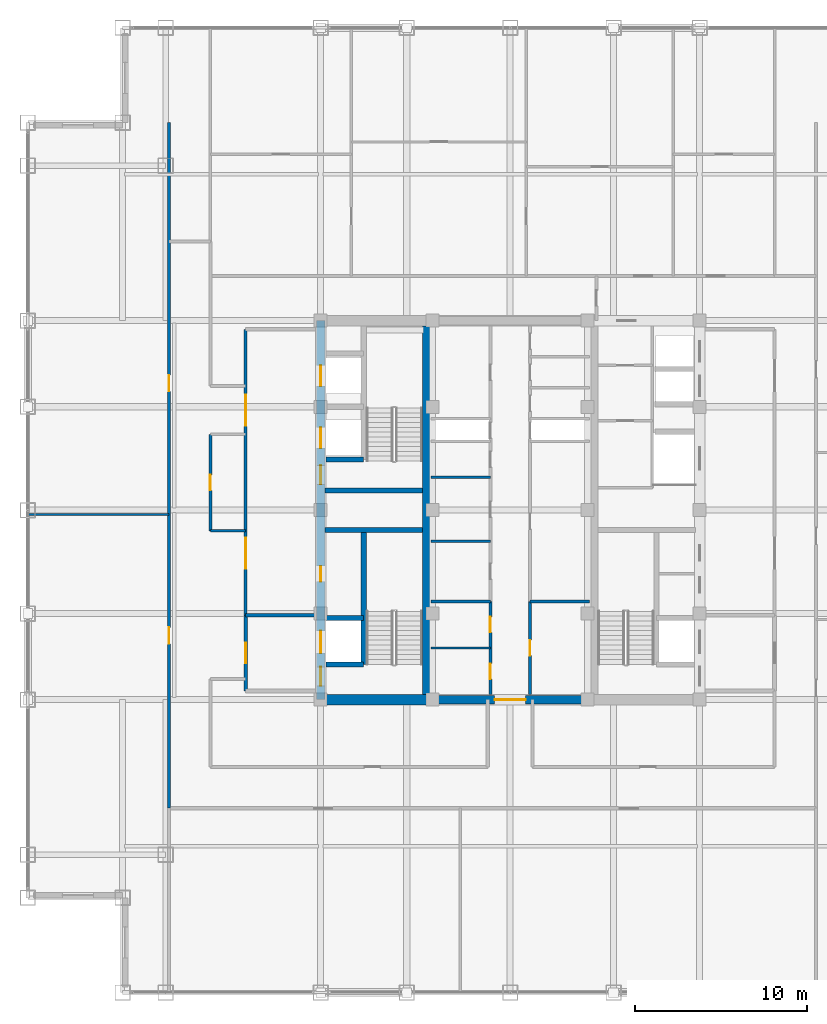
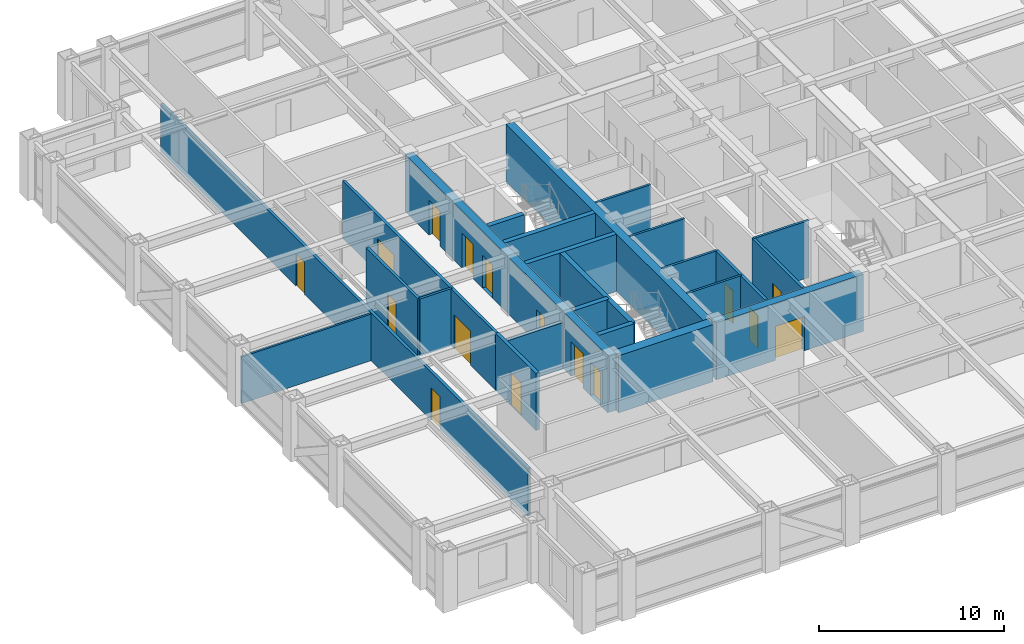
# One storey, part 18 of 22: 24 walls, 16 doors, 16 openings.
"""IFC4 building model written with IfcOpenShell, lengths in metres."""

from ifc_helpers import new_model, si_unit, direction, frame, frame_2d, origin, place, context, subcontext, project, spatial, rectangle, extrude, source, transform, mapped, material, layer, layer_set, type_object, element, fill, save


model = new_model("IFC4")

# Units and contexts
model_context = context("Model", 3, precision=1e-05, world=origin(), true_north=direction((0.0, 1.0)))
body_context = subcontext(model_context, "Body", "Model", "MODEL_VIEW")
ifc_project = project(units=[si_unit("LENGTHUNIT", "METRE"), si_unit("AREAUNIT", "SQUARE_METRE"), si_unit("VOLUMEUNIT", "CUBIC_METRE"), si_unit("PLANEANGLEUNIT", "RADIAN"), si_unit("MASSUNIT", "GRAM", prefix="KILO")], contexts=[model_context])

# Site, building, storey
site_placement = place(None, origin())
site = spatial("IfcSite", under=ifc_project, at=site_placement, CompositionType="ELEMENT")
building_placement = place(site_placement, origin())
building = spatial("IfcBuilding", under=site, at=building_placement, Name="Khorayat Bourse Tower", CompositionType="ELEMENT")
storey_placement = place(building_placement, frame((0.0, 0.0, 301.5)))
storey = spatial("IfcBuildingStorey", under=building, at=storey_placement, Name="L71", CompositionType="ELEMENT", Elevation=301.5)

# Wall, openings, doors
ifc_material_1 = material(Name="Concrete C52/65", Category="concrete")
ifc_layer_1 = layer(ifc_material_1, 0.5)
ifc_layer_set_1 = layer_set([ifc_layer_1], Name="Concrete C52/65")
wall_type_1 = type_object("IfcWallType", Name="WAL-CORE-500", PredefinedType="SHEAR", material=ifc_layer_set_1)
shared_shape_1 = source(origin(), body_context, "Body", "SweptSolid", [
    extrude(rectangle(XDim=22.0, YDim=0.5, at=frame_2d((11.0, 0.0))), origin(), (0.0, 0.0, 1.0), 3.780029296875),
])
wall_1_placement = place(storey_placement, frame((-11.0, -11.0, 0.0), z_axis=(0.0, 0.0, 1.0), x_axis=(0.0, 1.0, 0.0)))
wall_1 = element("IfcWall", 1, at=wall_1_placement, inside=storey, type_object=wall_type_1, Name="L71 Core Shear Wall CORE-W", PredefinedType="SHEAR", context=body_context, shape_type="MappedRepresentation", body=[
    mapped(shared_shape_1, transform((0.0, 0.0, 0.0), scale=1.0)),
])
shared_shape_2 = source(origin(), body_context, "Body", "SweptSolid", [
    extrude(rectangle(XDim=1.10009765625, YDim=2.199951171875, at=frame_2d((0.550048828125, 1.10009765625))), frame((0.0, 0.260009765625, 0.0), z_axis=(0.0, -1.0, 0.0), x_axis=(1.0, 0.0, 0.0)), (0.0, 0.0, 1.0), 0.52001953125),
])
opening_1_placement = place(wall_1_placement, frame((0.800048828125, 0.0, 0.0)))
opening_1 = element("IfcOpeningElement", 2, at=opening_1_placement, cuts=wall_1, Name="Opening DI-01", PredefinedType="OPENING", context=body_context, shape_type="MappedRepresentation", body=[
    mapped(shared_shape_2, transform((0.0, 0.0, 0.0), scale=1.0)),
])
opening_2_placement = place(wall_1_placement, frame((12.5, 0.0, 0.0)))
opening_2 = element("IfcOpeningElement", 3, at=opening_2_placement, cuts=wall_1, Name="Opening DI-01", PredefinedType="OPENING", context=body_context, shape_type="MappedRepresentation", body=[
    mapped(shared_shape_2, transform((0.0, 0.0, 0.0), scale=1.0)),
])
shared_shape_3 = source(origin(), body_context, "Body", "SweptSolid", [
    extrude(rectangle(XDim=0.89990234375, YDim=2.14990234375, at=frame_2d((0.449951171875, 1.074951171875))), frame((0.0, 0.260009765625, 0.0), z_axis=(0.0, -1.0, 0.0), x_axis=(1.0, 0.0, 0.0)), (0.0, 0.0, 1.0), 0.52001953125),
])
opening_3_placement = place(wall_1_placement, frame((6.85009765625, 0.0, 0.0)))
opening_3 = element("IfcOpeningElement", 4, at=opening_3_placement, cuts=wall_1, Name="Opening DI-06", PredefinedType="OPENING", context=body_context, shape_type="MappedRepresentation", body=[
    mapped(shared_shape_3, transform((0.0, 0.0, 0.0), scale=1.0)),
])
shared_shape_4 = source(origin(), body_context, "Body", "SweptSolid", [
    extrude(rectangle(XDim=1.199951171875, YDim=2.300048828125, at=frame_2d((0.60009765625, 1.14990234375))), frame((0.0, 0.260009765625, 0.0), z_axis=(0.0, -1.0, 0.0), x_axis=(1.0, 0.0, 0.0)), (0.0, 0.0, 1.0), 0.52001953125),
])
opening_4_placement = place(wall_1_placement, frame((14.60009765625, 0.0, 0.0)))
opening_4 = element("IfcOpeningElement", 5, at=opening_4_placement, cuts=wall_1, Name="Opening LD-01", PredefinedType="OPENING", context=body_context, shape_type="MappedRepresentation", body=[
    mapped(shared_shape_4, transform((0.0, 0.0, 0.0), scale=1.0)),
])
opening_5_placement = place(wall_1_placement, frame((18.199951171875, 0.0, 0.0)))
opening_5 = element("IfcOpeningElement", 6, at=opening_5_placement, cuts=wall_1, Name="Opening LD-01", PredefinedType="OPENING", context=body_context, shape_type="MappedRepresentation", body=[
    mapped(shared_shape_4, transform((0.0, 0.0, 0.0), scale=1.0)),
])
shared_shape_5 = source(origin(), body_context, "Body", "SweptSolid", [
    extrude(rectangle(XDim=1.300048828125, YDim=2.300048828125, at=frame_2d((0.64990234375, 1.14990234375))), frame((0.0, 0.260009765625, 0.0), z_axis=(0.0, -1.0, 0.0), x_axis=(1.0, 0.0, 0.0)), (0.0, 0.0, 1.0), 0.52001953125),
])
opening_6_placement = place(wall_1_placement, frame((2.699951171875, 0.0, 0.0)))
opening_6 = element("IfcOpeningElement", 7, at=opening_6_placement, cuts=wall_1, Name="Opening LD-02", PredefinedType="OPENING", context=body_context, shape_type="MappedRepresentation", body=[
    mapped(shared_shape_5, transform((0.0, 0.0, 0.0), scale=1.0)),
])
ifc_material_2 = material(Name="Fire-rated steel acoustic leaf", Category="steel")
door_type_1 = type_object("IfcDoorType", Name="DR-INT-STAIR-1100", OperationType="NOTDEFINED", PredefinedType="DOOR", material=ifc_material_2)
shared_shape_6 = source(origin(), body_context, "Body", "SweptSolid", [
    extrude(rectangle(XDim=1.10009765625, YDim=2.199951171875, at=frame_2d((0.550048828125, 1.10009765625))), frame((0.0, 0.02490234375, 0.0), z_axis=(0.0, -1.0, 0.0), x_axis=(1.0, 0.0, 0.0)), (0.0, 0.0, 1.0), 0.050048828125),
])
door_1_placement = place(opening_1_placement, origin())
door_1 = element("IfcDoor", 8, at=door_1_placement, inside=storey, type_object=door_type_1, Name="L71 Exit Stair 1 Door", OperationType="SINGLE_SWING_RIGHT", OverallHeight=2.199951171875, OverallWidth=1.10009765625, PredefinedType="DOOR", context=body_context, shape_type="MappedRepresentation", body=[
    mapped(shared_shape_6, transform((0.0, 0.0, 0.0), scale=1.0)),
])
fill(opening_1, door_1)
door_2_placement = place(opening_2_placement, origin())
door_2 = element("IfcDoor", 9, at=door_2_placement, inside=storey, type_object=door_type_1, Name="L71 Exit Stair 2 Door", OperationType="SINGLE_SWING_RIGHT", OverallHeight=2.199951171875, OverallWidth=1.10009765625, PredefinedType="DOOR", context=body_context, shape_type="MappedRepresentation", body=[
    mapped(shared_shape_6, transform((0.0, 0.0, 0.0), scale=1.0)),
])
fill(opening_2, door_2)
ifc_material_3 = material(Name="Moisture-resistant laminate washroom door")
door_type_2 = type_object("IfcDoorType", Name="DR-INT-WC-900", OperationType="NOTDEFINED", PredefinedType="DOOR", material=ifc_material_3)
shared_shape_7 = source(origin(), body_context, "Body", "SweptSolid", [
    extrude(rectangle(XDim=0.89990234375, YDim=2.14990234375, at=frame_2d((0.449951171875, 1.074951171875))), frame((0.0, 0.02490234375, 0.0), z_axis=(0.0, -1.0, 0.0), x_axis=(1.0, 0.0, 0.0)), (0.0, 0.0, 1.0), 0.050048828125),
])
door_3_placement = place(opening_3_placement, origin())
door_3 = element("IfcDoor", 10, at=door_3_placement, inside=storey, type_object=door_type_2, Name="L71 Electrical Switch Plant Room Door", OperationType="SINGLE_SWING_RIGHT", OverallHeight=2.14990234375, OverallWidth=0.89990234375, PredefinedType="DOOR", context=body_context, shape_type="MappedRepresentation", body=[
    mapped(shared_shape_7, transform((0.0, 0.0, 0.0), scale=1.0)),
])
fill(opening_3, door_3)
ifc_material_4 = material(Name="Brushed bronze stainless-steel sliding door", Category="steel")
door_type_3 = type_object("IfcDoorType", Name="DR-LIFT-PASS-1200", OperationType="NOTDEFINED", PredefinedType="DOOR", material=ifc_material_4)
shared_shape_8 = source(origin(), body_context, "Body", "SweptSolid", [
    extrude(rectangle(XDim=1.199951171875, YDim=2.300048828125, at=frame_2d((0.60009765625, 1.14990234375))), frame((0.0, 0.02490234375, 0.0), z_axis=(0.0, -1.0, 0.0), x_axis=(1.0, 0.0, 0.0)), (0.0, 0.0, 1.0), 0.050048828125),
])
door_4_placement = place(opening_4_placement, origin())
door_4 = element("IfcDoor", 11, at=door_4_placement, inside=storey, type_object=door_type_3, Name="L71 Lift PL-H1 Sliding Landing Door", OperationType="SLIDING_TO_LEFT", OverallHeight=2.300048828125, OverallWidth=1.199951171875, PredefinedType="DOOR", context=body_context, shape_type="MappedRepresentation", body=[
    mapped(shared_shape_8, transform((0.0, 0.0, 0.0), scale=1.0)),
])
fill(opening_4, door_4)
door_5_placement = place(opening_5_placement, origin())
door_5 = element("IfcDoor", 12, at=door_5_placement, inside=storey, type_object=door_type_3, Name="L71 Lift PL-H2 Sliding Landing Door", OperationType="SLIDING_TO_LEFT", OverallHeight=2.300048828125, OverallWidth=1.199951171875, PredefinedType="DOOR", context=body_context, shape_type="MappedRepresentation", body=[
    mapped(shared_shape_8, transform((0.0, 0.0, 0.0), scale=1.0)),
])
fill(opening_5, door_5)
ifc_material_5 = material(Name="Fire-rated stainless-steel sliding landing door", Category="steel")
door_type_4 = type_object("IfcDoorType", Name="DR-LIFT-FF-1300", OperationType="NOTDEFINED", PredefinedType="DOOR", material=ifc_material_5)
shared_shape_9 = source(origin(), body_context, "Body", "SweptSolid", [
    extrude(rectangle(XDim=1.300048828125, YDim=2.300048828125, at=frame_2d((0.64990234375, 1.14990234375))), frame((0.0, 0.02490234375, 0.0), z_axis=(0.0, -1.0, 0.0), x_axis=(1.0, 0.0, 0.0)), (0.0, 0.0, 1.0), 0.050048828125),
])
door_6_placement = place(opening_6_placement, origin())
door_6 = element("IfcDoor", 13, at=door_6_placement, inside=storey, type_object=door_type_4, Name="L71 Lift FFL-01 Sliding Landing Door", OperationType="SLIDING_TO_LEFT", OverallHeight=2.300048828125, OverallWidth=1.300048828125, PredefinedType="DOOR", context=body_context, shape_type="MappedRepresentation", body=[
    mapped(shared_shape_9, transform((0.0, 0.0, 0.0), scale=1.0)),
])
fill(opening_6, door_6)

# Walls
shared_shape_10 = source(origin(), body_context, "Body", "SweptSolid", [
    extrude(rectangle(XDim=21.39990234375, YDim=0.5, at=frame_2d((10.699951171875, 0.0))), origin(), (0.0, 0.0, 1.0), 3.780029296875),
])
wall_2_placement = place(storey_placement, frame((-4.85009765625, -10.699951171875, 0.0), z_axis=(0.0, 0.0, 1.0), x_axis=(0.0, 1.0, 0.0)))
element("IfcWall", 14, at=wall_2_placement, inside=storey, type_object=wall_type_1, Name="L71 Core Shear Wall PIER-W", PredefinedType="SHEAR", context=body_context, shape_type="MappedRepresentation", body=[
    mapped(shared_shape_10, transform((0.0, 0.0, 0.0), scale=1.0)),
])
ifc_material_6 = material(Name="Concrete C60/75", Category="concrete")
ifc_layer_2 = layer(ifc_material_6, 0.60009765625)
ifc_layer_set_2 = layer_set([ifc_layer_2], Name="Concrete C60/75")
wall_type_2 = type_object("IfcWallType", Name="WAL-CORE-600", PredefinedType="SHEAR", material=ifc_layer_set_2)
shared_shape_11 = source(origin(), body_context, "Body", "SweptSolid", [
    extrude(rectangle(XDim=5.89990234375, YDim=0.60009765625, at=frame_2d((2.949951171875, 0.0))), origin(), (0.0, 0.0, 1.0), 3.780029296875),
])
wall_3_placement = place(storey_placement, frame((-10.75, -11.0, 0.0), z_axis=(0.0, 0.0, 1.0), x_axis=(1.0, 0.0, 0.0)))
element("IfcWall", 15, at=wall_3_placement, inside=storey, type_object=wall_type_2, Name="L71 Core Shear Wall PIER-WS", PredefinedType="SHEAR", context=body_context, shape_type="MappedRepresentation", body=[
    mapped(shared_shape_11, transform((0.0, 0.0, 0.0), scale=1.0)),
])
ifc_material_7 = material(Name="Concrete C50/60", Category="concrete")
ifc_layer_3 = layer(ifc_material_7, 0.300048828125)
ifc_layer_set_3 = layer_set([ifc_layer_3], Name="Concrete C50/60")
wall_type_3 = type_object("IfcWallType", Name="WAL-SHAFT-300", PredefinedType="SHEAR", material=ifc_layer_set_3)
shared_shape_12 = source(origin(), body_context, "Body", "SweptSolid", [
    extrude(rectangle(XDim=5.64990234375, YDim=0.300048828125, at=frame_2d((2.824951171875, 0.0))), origin(), (0.0, 0.0, 1.0), 3.780029296875),
])
for number, where, z_axis, x_axis, name in (
    (16, (-10.75, -1.14990234375, 0.0), (0.0, 0.0, 1.0), (1.0, 0.0, 0.0), "L71 Core Shear Wall ST1-DIV"),
    (17, (-10.75, 1.14990234375, 0.0), (0.0, 0.0, 1.0), (1.0, 0.0, 0.0), "L71 Core Shear Wall ST2-DIV"),
):
    element("IfcWall", number, at=place(storey_placement, frame(where, z_axis=z_axis, x_axis=x_axis)), inside=storey, type_object=wall_type_3, Name=name, PredefinedType="SHEAR", context=body_context, shape_type="MappedRepresentation", body=[
        mapped(shared_shape_12, transform((0.0, 0.0, 0.0), scale=1.0)),
    ])

# Wall, opening, door
shared_shape_13 = source(origin(), body_context, "Body", "SweptSolid", [
    extrude(rectangle(XDim=9.2001953125, YDim=0.5, at=frame_2d((4.60009765625, 0.0))), origin(), (0.0, 0.0, 1.0), 3.780029296875),
])
wall_4_placement = place(storey_placement, frame((-4.60009765625, -11.0, 0.0), z_axis=(0.0, 0.0, 1.0), x_axis=(1.0, 0.0, 0.0)))
wall_4 = element("IfcWall", 18, at=wall_4_placement, inside=storey, type_object=wall_type_1, Name="L71 Core Shear Wall CORE-S", PredefinedType="SHEAR", context=body_context, shape_type="MappedRepresentation", body=[
    mapped(shared_shape_13, transform((0.0, 0.0, 0.0), scale=1.0)),
])
shared_shape_14 = source(origin(), body_context, "Body", "SweptSolid", [
    extrude(rectangle(XDim=1.800048828125, YDim=2.25, at=frame_2d((0.89990234375, 1.125))), frame((0.0, 0.260009765625, 0.0), z_axis=(0.0, -1.0, 0.0), x_axis=(1.0, 0.0, 0.0)), (0.0, 0.0, 1.0), 0.52001953125),
])
opening_7_placement = place(wall_4_placement, frame((3.699951171875, 0.0, 0.0)))
opening_7 = element("IfcOpeningElement", 19, at=opening_7_placement, cuts=wall_4, Name="Opening DI-03", PredefinedType="OPENING", context=body_context, shape_type="MappedRepresentation", body=[
    mapped(shared_shape_14, transform((0.0, 0.0, 0.0), scale=1.0)),
])
ifc_material_8 = material(Name="Fire-rated hardwood vision-panel double leaf", Category="wood")
door_type_5 = type_object("IfcDoorType", Name="DR-INT-CORR-1800", OperationType="NOTDEFINED", PredefinedType="DOOR", material=ifc_material_8)
shared_shape_15 = source(origin(), body_context, "Body", "SweptSolid", [
    extrude(rectangle(XDim=1.800048828125, YDim=2.25, at=frame_2d((0.89990234375, 1.125))), frame((0.0, 0.02490234375, 0.0), z_axis=(0.0, -1.0, 0.0), x_axis=(1.0, 0.0, 0.0)), (0.0, 0.0, 1.0), 0.050048828125),
])
door_7_placement = place(opening_7_placement, origin())
door_7 = element("IfcDoor", 20, at=door_7_placement, inside=storey, type_object=door_type_5, Name="L71 Central Core South Passage Door", OperationType="SINGLE_SWING_LEFT", OverallHeight=2.25, OverallWidth=1.800048828125, PredefinedType="DOOR", context=body_context, shape_type="MappedRepresentation", body=[
    mapped(shared_shape_15, transform((0.0, 0.0, 0.0), scale=1.0)),
])
fill(opening_7, door_7)

# Walls
ifc_material_9 = material(Name="Aerated concrete blockwork", Category="masonry")
ifc_layer_4 = layer(ifc_material_9, 0.219970703125)
ifc_layer_set_4 = layer_set([ifc_layer_4], Name="Aerated concrete blockwork")
wall_type_4 = type_object("IfcWallType", Name="WAL-PART-FF-220", PredefinedType="PARTITIONING", material=ifc_layer_set_4)
shared_shape_16 = source(origin(), body_context, "Body", "SweptSolid", [
    extrude(rectangle(XDim=4.050048828125, YDim=0.219970703125, at=frame_2d((2.02490234375, 0.0))), origin(), (0.0, 0.0, 1.0), 3.0849609375),
])
wall_5_placement = place(storey_placement, frame((-15.35009765625, -6.10009765625, 0.0), z_axis=(0.0, 0.0, 1.0), x_axis=(1.0, 0.0, 0.0)))
element("IfcWall", 21, at=wall_5_placement, inside=storey, type_object=wall_type_4, Name="L71 Partition WAL-L71-FFLW-N", PredefinedType="PARTITIONING", context=body_context, shape_type="MappedRepresentation", body=[
    mapped(shared_shape_16, transform((0.0, 0.0, 0.0), scale=1.0)),
])
shared_shape_17 = source(origin(), body_context, "Body", "SweptSolid", [
    extrude(rectangle(XDim=7.800048828125, YDim=0.300048828125, at=frame_2d((3.89990234375, 0.0))), origin(), (0.0, 0.0, 1.0), 3.780029296875),
])
wall_6_placement = place(storey_placement, frame((-8.5, -8.949951171875, 0.0), z_axis=(0.0, 0.0, 1.0), x_axis=(0.0, 1.0, 0.0)))
element("IfcWall", 22, at=wall_6_placement, inside=storey, type_object=wall_type_3, Name="L71 Partition WAL-L71-WPIER-SP", PredefinedType="SHEAR", context=body_context, shape_type="MappedRepresentation", body=[
    mapped(shared_shape_17, transform((0.0, 0.0, 0.0), scale=1.0)),
])
shared_shape_18 = source(origin(), body_context, "Body", "SweptSolid", [
    extrude(rectangle(XDim=2.199951171875, YDim=0.300048828125, at=frame_2d((1.10009765625, 0.0))), origin(), (0.0, 0.0, 1.0), 3.780029296875),
])
for number, where, z_axis, x_axis, name in (
    (23, (-10.699951171875, -8.949951171875, 0.0), (0.0, 0.0, 1.0), (1.0, 0.0, 0.0), "L71 Partition WAL-L71-WPIER-FF1S"),
    (24, (-10.699951171875, -6.25, 0.0), (0.0, 0.0, 1.0), (1.0, 0.0, 0.0), "L71 Partition WAL-L71-WPIER-FF1N"),
    (25, (-10.699951171875, 2.949951171875, 0.0), (0.0, 0.0, 1.0), (1.0, 0.0, 0.0), "L71 Partition WAL-L71-WPIER-H1S"),
):
    element("IfcWall", number, at=place(storey_placement, frame(where, z_axis=z_axis, x_axis=x_axis)), inside=storey, type_object=wall_type_3, Name=name, PredefinedType="SHEAR", context=body_context, shape_type="MappedRepresentation", body=[
        mapped(shared_shape_18, transform((0.0, 0.0, 0.0), scale=1.0)),
    ])

# Wall, opening, door
shared_shape_19 = source(origin(), body_context, "Body", "SweptSolid", [
    extrude(rectangle(XDim=4.39990234375, YDim=0.219970703125, at=frame_2d((2.199951171875, 0.0))), origin(), (0.0, 0.0, 1.0), 3.780029296875),
])
wall_7_placement = place(storey_placement, frame((-15.35009765625, -10.5, 0.0), z_axis=(0.0, 0.0, 1.0), x_axis=(0.0, 1.0, 0.0)))
wall_7 = element("IfcWall", 26, at=wall_7_placement, inside=storey, type_object=wall_type_4, Name="L71 Partition WAL-L71-FFLW-W", PredefinedType="PARTITIONING", context=body_context, shape_type="MappedRepresentation", body=[
    mapped(shared_shape_19, transform((0.0, 0.0, 0.0), scale=1.0)),
])
shared_shape_20 = source(origin(), body_context, "Body", "SweptSolid", [
    extrude(rectangle(XDim=1.199951171875, YDim=2.199951171875, at=frame_2d((0.60009765625, 1.10009765625))), frame((0.0, 0.119873046875, 0.0), z_axis=(0.0, -1.0, 0.0), x_axis=(1.0, 0.0, 0.0)), (0.0, 0.0, 1.0), 0.239990234375),
])
opening_8_placement = place(wall_7_placement, frame((1.60009765625, 0.0, 0.0)))
opening_8 = element("IfcOpeningElement", 27, at=opening_8_placement, cuts=wall_7, Name="Opening DI-02", PredefinedType="OPENING", context=body_context, shape_type="MappedRepresentation", body=[
    mapped(shared_shape_20, transform((0.0, 0.0, 0.0), scale=1.0)),
])
ifc_material_10 = material(Name="Fire-rated steel double-seal leaf", Category="steel")
door_type_6 = type_object("IfcDoorType", Name="DR-INT-FFLOBBY-1200", OperationType="NOTDEFINED", PredefinedType="DOOR", material=ifc_material_10)
shared_shape_21 = source(origin(), body_context, "Body", "SweptSolid", [
    extrude(rectangle(XDim=1.199951171875, YDim=2.199951171875, at=frame_2d((0.60009765625, 1.10009765625))), frame((0.0, 0.02490234375, 0.0), z_axis=(0.0, -1.0, 0.0), x_axis=(1.0, 0.0, 0.0)), (0.0, 0.0, 1.0), 0.050048828125),
])
door_8_placement = place(opening_8_placement, origin())
door_8 = element("IfcDoor", 28, at=door_8_placement, inside=storey, type_object=door_type_6, Name="L71 West Firefighting Lobby Door", OperationType="SINGLE_SWING_LEFT", OverallHeight=2.199951171875, OverallWidth=1.199951171875, PredefinedType="DOOR", context=body_context, shape_type="MappedRepresentation", body=[
    mapped(shared_shape_21, transform((0.0, 0.0, 0.0), scale=1.0)),
])
fill(opening_8, door_8)

# Wall, openings, doors
ifc_material_11 = material(Name="Gypsum plasterboard acoustic stud wall")
ifc_layer_5 = layer(ifc_material_11, 0.179931640625)
ifc_layer_set_5 = layer_set([ifc_layer_5], Name="Gypsum plasterboard acoustic stud wall")
wall_type_5 = type_object("IfcWallType", Name="WAL-PART-CORR-180", PredefinedType="PARTITIONING", material=ifc_layer_set_5)
shared_shape_22 = source(origin(), body_context, "Body", "SweptSolid", [
    extrude(rectangle(XDim=16.60009765625, YDim=0.179931640625, at=frame_2d((8.300048828125, 0.0))), origin(), (0.0, 0.0, 1.0), 3.780029296875),
])
wall_8_placement = place(storey_placement, frame((-15.35009765625, -6.10009765625, 0.0), z_axis=(0.0, 0.0, 1.0), x_axis=(0.0, 1.0, 0.0)))
wall_8 = element("IfcWall", 29, at=wall_8_placement, inside=storey, type_object=wall_type_5, Name="L71 Partition WAL-L71-WLOB-W", PredefinedType="PARTITIONING", context=body_context, shape_type="MappedRepresentation", body=[
    mapped(shared_shape_22, transform((0.0, 0.0, 0.0), scale=1.0)),
])
shared_shape_23 = source(origin(), body_context, "Body", "SweptSolid", [
    extrude(rectangle(XDim=1.800048828125, YDim=2.25, at=frame_2d((0.89990234375, 1.125))), frame((0.0, 0.099853515625, 0.0), z_axis=(0.0, -1.0, 0.0), x_axis=(1.0, 0.0, 0.0)), (0.0, 0.0, 1.0), 0.199951171875),
])
opening_9_placement = place(wall_8_placement, frame((2.699951171875, 0.0, 0.0)))
opening_9 = element("IfcOpeningElement", 30, at=opening_9_placement, cuts=wall_8, Name="Opening DI-03", PredefinedType="OPENING", context=body_context, shape_type="MappedRepresentation", body=[
    mapped(shared_shape_23, transform((0.0, 0.0, 0.0), scale=1.0)),
])
opening_10_placement = place(wall_8_placement, frame((11.0, 0.0, 0.0)))
opening_10 = element("IfcOpeningElement", 31, at=opening_10_placement, cuts=wall_8, Name="Opening DI-03", PredefinedType="OPENING", context=body_context, shape_type="MappedRepresentation", body=[
    mapped(shared_shape_23, transform((0.0, 0.0, 0.0), scale=1.0)),
])
door_9_placement = place(opening_9_placement, origin())
door_9 = element("IfcDoor", 32, at=door_9_placement, inside=storey, type_object=door_type_5, Name="L71 West Core Lobby South Door", OperationType="SINGLE_SWING_LEFT", OverallHeight=2.25, OverallWidth=1.800048828125, PredefinedType="DOOR", context=body_context, shape_type="MappedRepresentation", body=[
    mapped(shared_shape_15, transform((0.0, 0.0, 0.0), scale=1.0)),
])
fill(opening_9, door_9)
door_10_placement = place(opening_10_placement, origin())
door_10 = element("IfcDoor", 33, at=door_10_placement, inside=storey, type_object=door_type_5, Name="L71 West Core Lobby North Door", OperationType="SINGLE_SWING_RIGHT", OverallHeight=2.25, OverallWidth=1.800048828125, PredefinedType="DOOR", context=body_context, shape_type="MappedRepresentation", body=[
    mapped(shared_shape_15, transform((0.0, 0.0, 0.0), scale=1.0)),
])
fill(opening_10, door_10)

# Walls
ifc_material_12 = material(Name="Gypsum plasterboard twin-frame partition")
ifc_layer_6 = layer(ifc_material_12, 0.14990234375)
ifc_layer_set_6 = layer_set([ifc_layer_6], Name="Gypsum plasterboard twin-frame partition")
wall_type_6 = type_object("IfcWallType", Name="WAL-PART-SUITE-150", PredefinedType="PARTITIONING", material=ifc_layer_set_6)
shared_shape_24 = source(origin(), body_context, "Body", "SweptSolid", [
    extrude(rectangle(XDim=3.4501953125, YDim=0.14990234375, at=frame_2d((1.72509765625, 0.0))), origin(), (0.0, 0.0, 1.0), 3.780029296875),
])
for number, where, z_axis, x_axis, name in (
    (34, (-4.60009765625, -5.300048828125, 0.0), (0.0, 0.0, 1.0), (1.0, 0.0, 0.0), "L71 Partition WAL-L71-FB1-NW"),
    (35, (1.14990234375, -5.300048828125, 0.0), (0.0, 0.0, 1.0), (1.0, 0.0, 0.0), "L71 Partition WAL-L71-FB1-NE"),
):
    element("IfcWall", number, at=place(storey_placement, frame(where, z_axis=z_axis, x_axis=x_axis)), inside=storey, type_object=wall_type_6, Name=name, PredefinedType="PARTITIONING", context=body_context, shape_type="MappedRepresentation", body=[
        mapped(shared_shape_24, transform((0.0, 0.0, 0.0), scale=1.0)),
    ])

# Wall, openings, doors
shared_shape_25 = source(origin(), body_context, "Body", "SweptSolid", [
    extrude(rectangle(XDim=5.39990234375, YDim=0.179931640625, at=frame_2d((2.699951171875, 0.0))), origin(), (0.0, 0.0, 1.0), 3.780029296875),
])
wall_9_placement = place(storey_placement, frame((-1.14990234375, -10.699951171875, 0.0), z_axis=(0.0, 0.0, 1.0), x_axis=(0.0, 1.0, 0.0)))
wall_9 = element("IfcWall", 36, at=wall_9_placement, inside=storey, type_object=wall_type_5, Name="L71 Partition WAL-L71-FB1W-L", PredefinedType="PARTITIONING", context=body_context, shape_type="MappedRepresentation", body=[
    mapped(shared_shape_25, transform((0.0, 0.0, 0.0), scale=1.0)),
])
shared_shape_26 = source(origin(), body_context, "Body", "SweptSolid", [
    extrude(rectangle(XDim=0.89990234375, YDim=2.14990234375, at=frame_2d((0.449951171875, 1.074951171875))), frame((0.0, 0.099853515625, 0.0), z_axis=(0.0, -1.0, 0.0), x_axis=(1.0, 0.0, 0.0)), (0.0, 0.0, 1.0), 0.199951171875),
])
opening_11_placement = place(wall_9_placement, frame((0.89990234375, 0.0, 0.0)))
opening_11 = element("IfcOpeningElement", 37, at=opening_11_placement, cuts=wall_9, Name="Opening DI-06", PredefinedType="OPENING", context=body_context, shape_type="MappedRepresentation", body=[
    mapped(shared_shape_26, transform((0.0, 0.0, 0.0), scale=1.0)),
])
opening_12_placement = place(wall_9_placement, frame((3.60009765625, 0.0, 0.0)))
opening_12 = element("IfcOpeningElement", 38, at=opening_12_placement, cuts=wall_9, Name="Opening DI-06", PredefinedType="OPENING", context=body_context, shape_type="MappedRepresentation", body=[
    mapped(shared_shape_26, transform((0.0, 0.0, 0.0), scale=1.0)),
])
door_11_placement = place(opening_11_placement, origin())
door_11 = element("IfcDoor", 39, at=door_11_placement, inside=storey, type_object=door_type_2, Name="L71 Clearing Vault Store Door", OperationType="SINGLE_SWING_RIGHT", OverallHeight=2.14990234375, OverallWidth=0.89990234375, PredefinedType="DOOR", context=body_context, shape_type="MappedRepresentation", body=[
    mapped(shared_shape_7, transform((0.0, 0.0, 0.0), scale=1.0)),
])
fill(opening_11, door_11)
door_12_placement = place(opening_12_placement, origin())
door_12 = element("IfcDoor", 40, at=door_12_placement, inside=storey, type_object=door_type_2, Name="L71 UPS Battery Plant Room Door", OperationType="SINGLE_SWING_LEFT", OverallHeight=2.14990234375, OverallWidth=0.89990234375, PredefinedType="DOOR", context=body_context, shape_type="MappedRepresentation", body=[
    mapped(shared_shape_7, transform((0.0, 0.0, 0.0), scale=1.0)),
])
fill(opening_12, door_12)

# Wall, opening, door
wall_10_placement = place(storey_placement, frame((1.14990234375, -10.699951171875, 0.0), z_axis=(0.0, 0.0, 1.0), x_axis=(0.0, 1.0, 0.0)))
wall_10 = element("IfcWall", 41, at=wall_10_placement, inside=storey, type_object=wall_type_5, Name="L71 Partition WAL-L71-FB1E-L", PredefinedType="PARTITIONING", context=body_context, shape_type="MappedRepresentation", body=[
    mapped(shared_shape_25, transform((0.0, 0.0, 0.0), scale=1.0)),
])
opening_13_placement = place(wall_10_placement, frame((2.25, 0.0, 0.0)))
opening_13 = element("IfcOpeningElement", 42, at=opening_13_placement, cuts=wall_10, Name="Opening DI-06", PredefinedType="OPENING", context=body_context, shape_type="MappedRepresentation", body=[
    mapped(shared_shape_26, transform((0.0, 0.0, 0.0), scale=1.0)),
])
door_13_placement = place(opening_13_placement, origin())
door_13 = element("IfcDoor", 43, at=door_13_placement, inside=storey, type_object=door_type_2, Name="L71 Core Archive Vault Door", OperationType="SINGLE_SWING_RIGHT", OverallHeight=2.14990234375, OverallWidth=0.89990234375, PredefinedType="DOOR", context=body_context, shape_type="MappedRepresentation", body=[
    mapped(shared_shape_7, transform((0.0, 0.0, 0.0), scale=1.0)),
])
fill(opening_13, door_13)

# Walls
ifc_material_13 = material(Name="Moisture-resistant masonry partition", Category="masonry")
ifc_layer_7 = layer(ifc_material_13, 0.139892578125)
ifc_layer_set_7 = layer_set([ifc_layer_7], Name="Moisture-resistant masonry partition")
wall_type_7 = type_object("IfcWallType", Name="WAL-PART-WET-140", PredefinedType="PARTITIONING", material=ifc_layer_set_7)
shared_shape_27 = source(origin(), body_context, "Body", "SweptSolid", [
    extrude(rectangle(XDim=3.4501953125, YDim=0.139892578125, at=frame_2d((1.72509765625, 0.0))), origin(), (0.0, 0.0, 1.0), 3.780029296875),
])
for number, where, z_axis, x_axis, name in (
    (44, (-4.60009765625, -8.0, 0.0), (0.0, 0.0, 1.0), (1.0, 0.0, 0.0), "L71 Partition WAL-L71-FB1W-D1"),
    (45, (-4.60009765625, -1.800048828125, 0.0), (0.0, 0.0, 1.0), (1.0, 0.0, 0.0), "L71 Partition WAL-L71-CMW-D1"),
    (46, (-4.60009765625, 1.89990234375, 0.0), (0.0, 0.0, 1.0), (1.0, 0.0, 0.0), "L71 Partition WAL-L71-CMW-D2"),
):
    element("IfcWall", number, at=place(storey_placement, frame(where, z_axis=z_axis, x_axis=x_axis)), inside=storey, type_object=wall_type_7, Name=name, PredefinedType="PARTITIONING", context=body_context, shape_type="MappedRepresentation", body=[
        mapped(shared_shape_27, transform((0.0, 0.0, 0.0), scale=1.0)),
    ])

# Wall, opening, door
shared_shape_28 = source(origin(), body_context, "Body", "SweptSolid", [
    extrude(rectangle(XDim=5.599853515625, YDim=0.179931640625, at=frame_2d((2.7998046875, 0.0))), origin(), (0.0, 0.0, 1.0), 3.780029296875),
])
wall_11_placement = place(storey_placement, frame((-17.39990234375, -1.199951171875, 0.0), z_axis=(0.0, 0.0, 1.0), x_axis=(0.0, 1.0, 0.0)))
wall_11 = element("IfcWall", 47, at=wall_11_placement, inside=storey, type_object=wall_type_5, Name="L71 Partition WAL-L71-PKWM-W", PredefinedType="PARTITIONING", context=body_context, shape_type="MappedRepresentation", body=[
    mapped(shared_shape_28, transform((0.0, 0.0, 0.0), scale=1.0)),
])
opening_14_placement = place(wall_11_placement, frame((2.35009765625, 0.0, 0.0)))
opening_14 = element("IfcOpeningElement", 48, at=opening_14_placement, cuts=wall_11, Name="Opening DI-06", PredefinedType="OPENING", context=body_context, shape_type="MappedRepresentation", body=[
    mapped(shared_shape_26, transform((0.0, 0.0, 0.0), scale=1.0)),
])
door_14_placement = place(opening_14_placement, origin())
door_14 = element("IfcDoor", 49, at=door_14_placement, inside=storey, type_object=door_type_2, Name="L71 West Inboard Focus Door", OperationType="SINGLE_SWING_LEFT", OverallHeight=2.14990234375, OverallWidth=0.89990234375, PredefinedType="DOOR", context=body_context, shape_type="MappedRepresentation", body=[
    mapped(shared_shape_7, transform((0.0, 0.0, 0.0), scale=1.0)),
])
fill(opening_14, door_14)

# Walls
shared_shape_29 = source(origin(), body_context, "Body", "SweptSolid", [
    extrude(rectangle(XDim=2.0498046875, YDim=0.14990234375, at=frame_2d((1.02490234375, 0.0))), origin(), (0.0, 0.0, 1.0), 3.780029296875),
])
wall_12_placement = place(storey_placement, frame((-17.39990234375, -1.199951171875, 0.0), z_axis=(0.0, 0.0, 1.0), x_axis=(1.0, 0.0, 0.0)))
element("IfcWall", 50, at=wall_12_placement, inside=storey, type_object=wall_type_6, Name="L71 Partition WAL-L71-PKWM-S", PredefinedType="PARTITIONING", context=body_context, shape_type="MappedRepresentation", body=[
    mapped(shared_shape_29, transform((0.0, 0.0, 0.0), scale=1.0)),
])
ifc_material_14 = material(Name="Gypsum plasterboard partition")
ifc_layer_8 = layer(ifc_material_14, 0.125)
ifc_layer_set_8 = layer_set([ifc_layer_8], Name="Gypsum plasterboard partition")
wall_type_8 = type_object("IfcWallType", Name="WAL-PART-ROOM-125", PredefinedType="PARTITIONING", material=ifc_layer_set_8)
shared_shape_30 = source(origin(), body_context, "Body", "SweptSolid", [
    extrude(rectangle(XDim=8.199951171875, YDim=0.125, at=frame_2d((4.10009765625, 0.0))), origin(), (0.0, 0.0, 1.0), 3.0849609375),
])
wall_13_placement = place(storey_placement, frame((-28.0, -0.260009765625, 0.0), z_axis=(0.0, 0.0, 1.0), x_axis=(1.0, 0.0, 0.0)))
element("IfcWall", 51, at=wall_13_placement, inside=storey, type_object=wall_type_8, Name="L71 Partition WAL-L71-WDV-1", PredefinedType="PARTITIONING", context=body_context, shape_type="MappedRepresentation", body=[
    mapped(shared_shape_30, transform((0.0, 0.0, 0.0), scale=1.0)),
])

# Wall, openings, doors
shared_shape_31 = source(origin(), body_context, "Body", "SweptSolid", [
    extrude(rectangle(XDim=39.800048828125, YDim=0.179931640625, at=frame_2d((19.89990234375, 0.0))), origin(), (0.0, 0.0, 1.0), 3.1640625),
])
wall_14_placement = place(storey_placement, frame((-19.800048828125, -17.300048828125, 0.0), z_axis=(0.0, 0.0, 1.0), x_axis=(0.0, 1.0, 0.0)))
wall_14 = element("IfcWall", 52, at=wall_14_placement, inside=storey, type_object=wall_type_5, Name="L71 Partition WAL-L71-WCORR", PredefinedType="PARTITIONING", context=body_context, shape_type="MappedRepresentation", body=[
    mapped(shared_shape_31, transform((0.0, 0.0, 0.0), scale=1.0)),
])
shared_shape_32 = source(origin(), body_context, "Body", "SweptSolid", [
    extrude(rectangle(XDim=0.949951171875, YDim=2.14990234375, at=frame_2d((0.47509765625, 1.074951171875))), frame((0.0, 0.099853515625, 0.0), z_axis=(0.0, -1.0, 0.0), x_axis=(1.0, 0.0, 0.0)), (0.0, 0.0, 1.0), 0.199951171875),
])
opening_15_placement = place(wall_14_placement, frame((9.544921875, 0.0, 0.0)))
opening_15 = element("IfcOpeningElement", 53, at=opening_15_placement, cuts=wall_14, Name="Opening DI-05", PredefinedType="OPENING", context=body_context, shape_type="MappedRepresentation", body=[
    mapped(shared_shape_32, transform((0.0, 0.0, 0.0), scale=1.0)),
])
opening_16_placement = place(wall_14_placement, frame((24.195068359375, 0.0, 0.0)))
opening_16 = element("IfcOpeningElement", 54, at=opening_16_placement, cuts=wall_14, Name="Opening DI-05", PredefinedType="OPENING", context=body_context, shape_type="MappedRepresentation", body=[
    mapped(shared_shape_32, transform((0.0, 0.0, 0.0), scale=1.0)),
])
ifc_material_15 = material(Name="Acoustic oak veneer office door")
door_type_7 = type_object("IfcDoorType", Name="DR-INT-OFFICE-950", OperationType="NOTDEFINED", PredefinedType="DOOR", material=ifc_material_15)
shared_shape_33 = source(origin(), body_context, "Body", "SweptSolid", [
    extrude(rectangle(XDim=0.949951171875, YDim=2.14990234375, at=frame_2d((0.47509765625, 1.074951171875))), frame((0.0, 0.02490234375, 0.0), z_axis=(0.0, -1.0, 0.0), x_axis=(1.0, 0.0, 0.0)), (0.0, 0.0, 1.0), 0.050048828125),
])
door_15_placement = place(opening_15_placement, origin())
door_15 = element("IfcDoor", 55, at=door_15_placement, inside=storey, type_object=door_type_7, Name="L71 Clearing Records Archive Store W1 Door", OperationType="SINGLE_SWING_RIGHT", OverallHeight=2.14990234375, OverallWidth=0.949951171875, PredefinedType="DOOR", context=body_context, shape_type="MappedRepresentation", body=[
    mapped(shared_shape_33, transform((0.0, 0.0, 0.0), scale=1.0)),
])
fill(opening_15, door_15)
door_16_placement = place(opening_16_placement, origin())
door_16 = element("IfcDoor", 56, at=door_16_placement, inside=storey, type_object=door_type_7, Name="L71 Issuer Listing Showroom W2 Door", OperationType="SINGLE_SWING_LEFT", OverallHeight=2.14990234375, OverallWidth=0.949951171875, PredefinedType="DOOR", context=body_context, shape_type="MappedRepresentation", body=[
    mapped(shared_shape_33, transform((0.0, 0.0, 0.0), scale=1.0)),
])
fill(opening_16, door_16)

save(model, "model.ifc")
